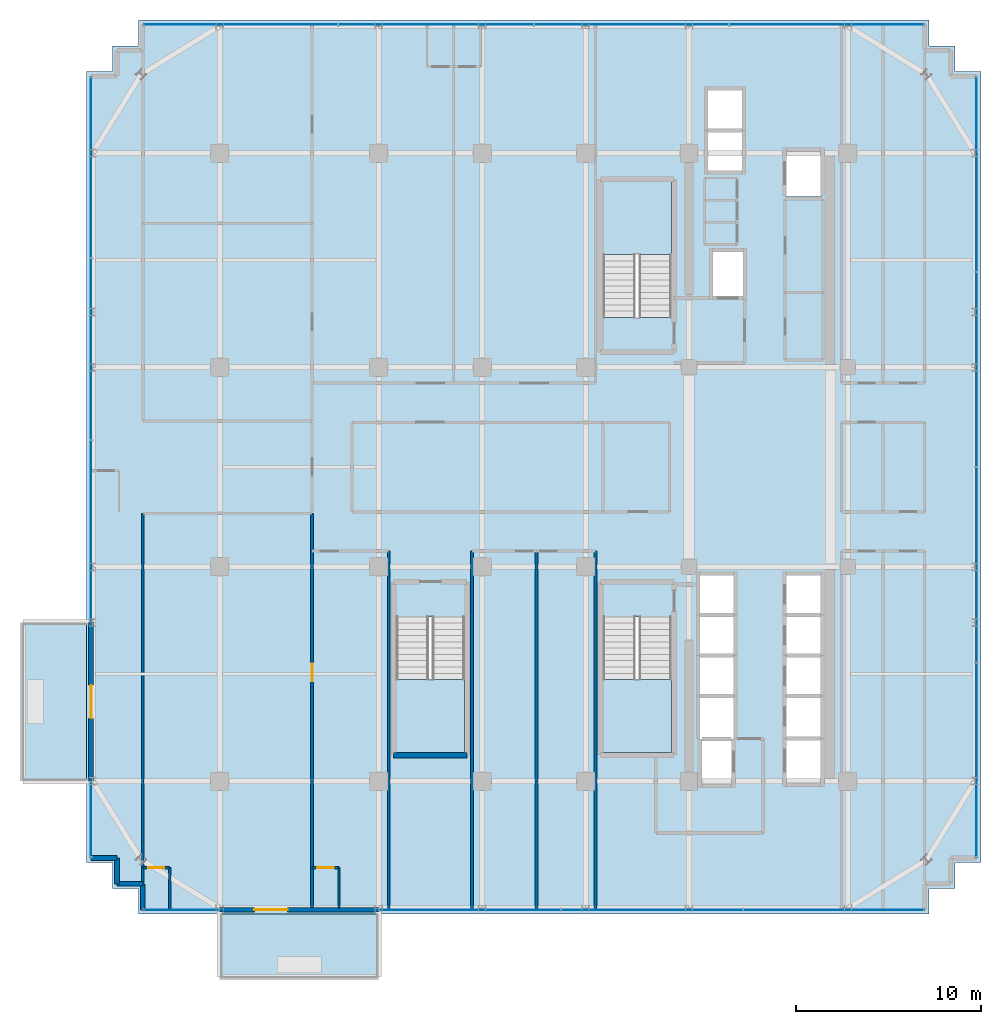
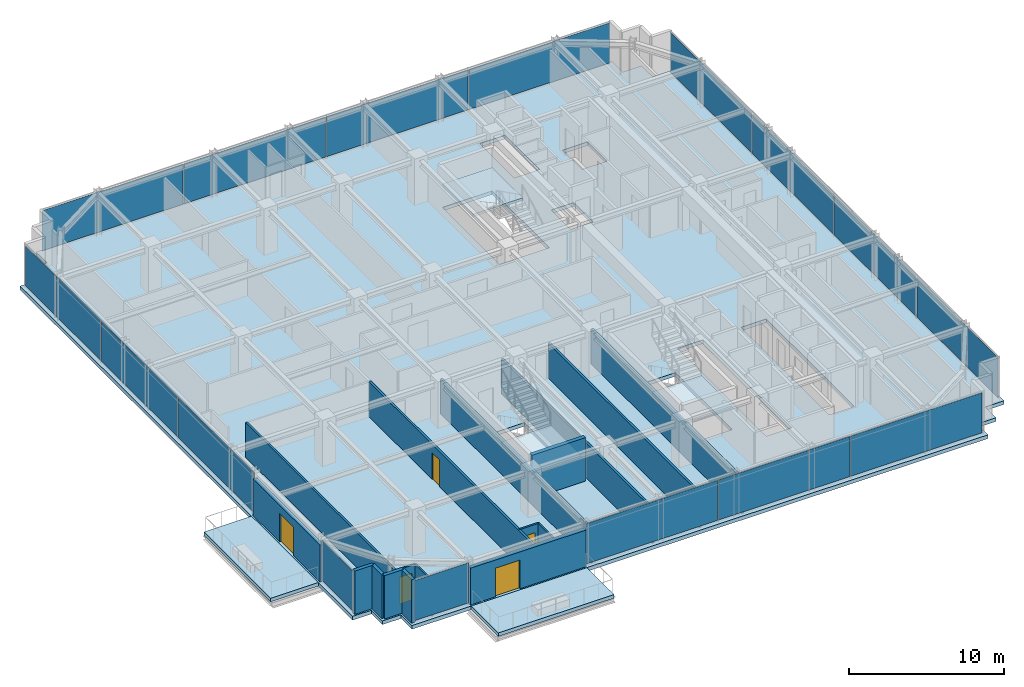
# One storey, part 28 of 35: 17 walls, 16 plates, 6 slabs, 5 doors, 5 openings, 9 elements without a shape of their own.
"""IFC4 building model written with IfcOpenShell, lengths in metres."""

from ifc_helpers import new_model, si_unit, direction, frame, frame_2d, origin, origin_2d, place, context, subcontext, project, spatial, polyline, rectangle, outline, extrude, source, transform, mapped, material, layer, layer_set, type_object, element, fill, aggregate, save


model = new_model("IFC4")

# Units and contexts
model_context = context("Model", 3, precision=1e-05, world=origin(), true_north=direction((0.0, 1.0)))
body_context = subcontext(model_context, "Body", "Model", "MODEL_VIEW")
ifc_project = project(units=[si_unit("LENGTHUNIT", "METRE"), si_unit("AREAUNIT", "SQUARE_METRE"), si_unit("VOLUMEUNIT", "CUBIC_METRE"), si_unit("PLANEANGLEUNIT", "RADIAN"), si_unit("MASSUNIT", "GRAM", prefix="KILO")], contexts=[model_context])

# Site, building, storey
site_placement = place(None, origin())
site = spatial("IfcSite", under=ifc_project, at=site_placement, CompositionType="ELEMENT")
building_placement = place(site_placement, origin())
building = spatial("IfcBuilding", under=site, at=building_placement, Name="Nahalor Promenade Grand Hotel", CompositionType="ELEMENT")
storey_placement = place(building_placement, frame((0.0, 0.0, 245.60009765625)))
storey = spatial("IfcBuildingStorey", under=building, at=storey_placement, Name="L63", CompositionType="ELEMENT", Elevation=245.60009765625)

# Stair, slab
ifc_material_1 = material(Name="Concrete B-50 (C40/50)", Category="concrete")
stair_type_1 = type_object("IfcStairType", Name="Stair-ST1", PredefinedType="HALF_TURN_STAIR", material=ifc_material_1)
stair_1_placement = place(storey_placement, origin())
stair_1 = element("IfcStair", 1, at=stair_1_placement, inside=storey, type_object=stair_type_1, Name="L63 ST1", PredefinedType="HALF_TURN_STAIR")
ifc_layer_1 = layer(ifc_material_1, 0.199951171875)
ifc_layer_set_1 = layer_set([ifc_layer_1], Name="Concrete B-50 (C40/50)")
slab_type_1 = type_object("IfcSlabType", Name="Landing-ST1", PredefinedType="LANDING", material=ifc_layer_set_1)
slab_1_placement = place(storey_placement, frame((0.0, 0.0, 1.64990234375)))
slab_1 = element("IfcSlab", 2, at=slab_1_placement, type_object=slab_type_1, Name="ST1 landing 1", PredefinedType="LANDING", context=body_context, shape_type="SweptSolid", body=[
    extrude(outline(polyline([(7.449951171875, 11.5), (7.449951171875, 15.449951171875), (3.75, 15.449951171875), (3.75, 11.5), (7.449951171875, 11.5)])), origin(), (0.0, 0.0, 1.0), 0.199951171875),
])
aggregate(stair_1, [slab_1])

stair_type_2 = type_object("IfcStairType", Name="Stair-ST2", PredefinedType="HALF_TURN_STAIR", material=ifc_material_1)
stair_2_placement = place(storey_placement, origin())
stair_2 = element("IfcStair", 3, at=stair_2_placement, inside=storey, type_object=stair_type_2, Name="L63 ST2", PredefinedType="HALF_TURN_STAIR")
ifc_layer_2 = layer(ifc_material_1, 0.2099609375)
ifc_layer_set_2 = layer_set([ifc_layer_2], Name="Concrete B-50 (C40/50)")
slab_type_2 = type_object("IfcSlabType", Name="Landing-ST2", PredefinedType="LANDING", material=ifc_layer_set_2)
slab_2_placement = place(storey_placement, frame((0.0, 0.0, 1.639892578125)))
slab_2 = element("IfcSlab", 4, at=slab_2_placement, type_object=slab_type_2, Name="ST2 landing 1", PredefinedType="LANDING", context=body_context, shape_type="SweptSolid", body=[
    extrude(outline(polyline([(3.75, -11.5), (3.75, -15.449951171875), (7.449951171875, -15.449951171875), (7.449951171875, -11.5), (3.75, -11.5)])), origin(), (0.0, 0.0, 1.0), 0.2099609375),
])
aggregate(stair_2, [slab_2])

stair_type_3 = type_object("IfcStairType", Name="Stair-ST3", PredefinedType="HALF_TURN_STAIR", material=ifc_material_1)
stair_3_placement = place(storey_placement, origin())
stair_3 = element("IfcStair", 5, at=stair_3_placement, inside=storey, type_object=stair_type_3, Name="L63 ST3", PredefinedType="HALF_TURN_STAIR")
ifc_layer_3 = layer(ifc_material_1, 0.219970703125)
ifc_layer_set_3 = layer_set([ifc_layer_3], Name="Concrete B-50 (C40/50)")
slab_type_3 = type_object("IfcSlabType", Name="Landing-ST3", PredefinedType="LANDING", material=ifc_layer_set_3)
slab_3_placement = place(storey_placement, frame((0.0, 0.0, 1.6298828125)))
slab_3 = element("IfcSlab", 6, at=slab_3_placement, type_object=slab_type_3, Name="ST3 landing 1", PredefinedType="LANDING", context=body_context, shape_type="SweptSolid", body=[
    extrude(outline(polyline([(-7.449951171875, -11.5), (-7.449951171875, -15.449951171875), (-3.75, -15.449951171875), (-3.75, -11.5), (-7.449951171875, -11.5)])), origin(), (0.0, 0.0, 1.0), 0.219970703125),
])
aggregate(stair_3, [slab_3])

# Slabs
ifc_layer_4 = layer(ifc_material_1, 0.280029296875)
ifc_layer_set_4 = layer_set([ifc_layer_4], Name="Concrete B-50 (C40/50)")
slab_type_4 = type_object("IfcSlabType", Name="Slab-Balcony-280", PredefinedType="FLOOR", material=ifc_layer_set_4)
slab_4_placement = place(storey_placement, frame((0.0, 0.0, -0.280029296875)))
element("IfcSlab", 7, at=slab_4_placement, inside=storey, type_object=slab_type_4, Name="L63 Cantilevered Planted Balcony 1", PredefinedType="FLOOR", context=body_context, shape_type="SweptSolid", body=[
    extrude(outline(polyline([(-17.0, -27.68994140625), (-8.39990234375, -27.68994140625), (-8.39990234375, -24.199951171875), (-17.0, -24.199951171875), (-17.0, -27.68994140625)])), origin(), (0.0, 0.0, 1.0), 0.280029296875),
])
slab_5_placement = place(storey_placement, frame((0.0, 0.0, -0.280029296875)))
element("IfcSlab", 8, at=slab_5_placement, inside=storey, type_object=slab_type_4, Name="L63 Cantilevered Planted Balcony 2", PredefinedType="FLOOR", context=body_context, shape_type="SweptSolid", body=[
    extrude(outline(polyline([(-27.739990234375, -17.0), (-24.199951171875, -17.0), (-24.199951171875, -8.39990234375), (-27.739990234375, -8.39990234375), (-27.739990234375, -17.0)])), origin(), (0.0, 0.0, 1.0), 0.280029296875),
])
ifc_layer_5 = layer(ifc_material_1, 0.2900390625)
ifc_layer_set_5 = layer_set([ifc_layer_5], Name="Concrete B-50 (C40/50)")
slab_type_5 = type_object("IfcSlabType", Name="Slab-TowerZ4-290", PredefinedType="FLOOR", material=ifc_layer_set_5)
slab_6_placement = place(storey_placement, frame((0.0, 0.0, -0.2900390625)))
element("IfcSlab", 9, at=slab_6_placement, inside=storey, type_object=slab_type_5, Name="L63 Suspended Structural Floor Slab", PredefinedType="FLOOR", context=body_context, shape_type="SweptSolid", body=[
    extrude(outline(polyline([(-21.39990234375, -24.199951171875), (21.39990234375, -24.199951171875), (21.39990234375, -22.800048828125), (22.800048828125, -22.800048828125), (22.800048828125, -21.39990234375), (24.199951171875, -21.39990234375), (24.199951171875, 21.39990234375), (22.800048828125, 21.39990234375), (22.800048828125, 22.800048828125), (21.39990234375, 22.800048828125), (21.39990234375, 24.199951171875), (-21.39990234375, 24.199951171875), (-21.39990234375, 22.800048828125), (-22.800048828125, 22.800048828125), (-22.800048828125, 21.39990234375), (-24.199951171875, 21.39990234375), (-24.199951171875, -21.39990234375), (-22.800048828125, -21.39990234375), (-22.800048828125, -22.800048828125), (-21.39990234375, -22.800048828125), (-21.39990234375, -24.199951171875)]), holes=[polyline([(3.75, 8.10009765625), (7.449951171875, 8.10009765625), (7.449951171875, 15.449951171875), (3.75, 15.449951171875), (3.75, 8.10009765625)]), polyline([(3.75, -15.449951171875), (7.449951171875, -15.449951171875), (7.449951171875, -8.10009765625), (3.75, -8.10009765625), (3.75, -15.449951171875)]), polyline([(-7.449951171875, -15.449951171875), (-3.75, -15.449951171875), (-3.75, -8.10009765625), (-7.449951171875, -8.10009765625), (-7.449951171875, -15.449951171875)]), polyline([(13.659912109375, -17.139892578125), (15.5400390625, -17.139892578125), (15.5400390625, -5.81005859375), (13.659912109375, -5.81005859375), (13.659912109375, -17.139892578125)]), polyline([(8.9599609375, -17.18994140625), (10.840087890625, -17.18994140625), (10.840087890625, -5.81005859375), (8.9599609375, -5.81005859375), (8.9599609375, -17.18994140625)]), polyline([(9.409912109375, 16.010009765625), (11.2900390625, 16.010009765625), (11.2900390625, 20.43994140625), (9.409912109375, 20.43994140625), (9.409912109375, 16.010009765625)]), polyline([(9.659912109375, 9.2099609375), (11.340087890625, 9.2099609375), (11.340087890625, 11.68994140625), (9.659912109375, 11.68994140625), (9.659912109375, 9.2099609375)]), polyline([(13.659912109375, 14.659912109375), (15.5400390625, 14.659912109375), (15.5400390625, 17.139892578125), (13.659912109375, 17.139892578125), (13.659912109375, 14.659912109375)])]), origin(), (0.0, 0.0, 1.0), 0.2900390625),
])

# Curtain wall, plates
ifc_material_2 = material(Name="Anodised Bronze Aluminium EN AW-6063 T6", Category="aluminium")
curtain_wall_type = type_object("IfcCurtainWallType", Name="CW2 Typical Hotel Flush Bronze Unitised Curtain Wall", PredefinedType="USERDEFINED", material=ifc_material_2)
curtain_wall_1_placement = place(storey_placement, origin())
curtain_wall_1 = element("IfcCurtainWall", 10, at=curtain_wall_1_placement, inside=storey, type_object=curtain_wall_type, Name="L63 Curtain Wall CW-L63-N-1", ObjectType="UNITISED_CURTAIN_WALL", PredefinedType="USERDEFINED")
ifc_material_3 = material(Name="Low-E Laminated Solar Glass", Category="glass")
ifc_layer_6 = layer(ifc_material_3, 0.028076171875)
ifc_layer_set_6 = layer_set([ifc_layer_6], Name="Low-E Laminated Solar Glass")
plate_type = type_object("IfcPlateType", Name="CWP2 Bronze Low-E Vision IGU 28mm", PredefinedType="CURTAIN_PANEL", material=ifc_layer_set_6)
shared_shape_1 = source(origin(), body_context, "Body", "SweptSolid", [
    extrude(rectangle(XDim=10.482421875, YDim=0.028076171875, at=origin_2d()), origin(), (0.0, 0.0, 1.0), 3.14990234375),
])
plate_1_placement = place(storey_placement, frame((-15.853759765625, 23.9599609375, 0.1298828125), z_axis=(0.0, 0.0, 1.0), x_axis=(1.0, 0.0, 0.0)))
plate_1 = element("IfcPlate", 11, at=plate_1_placement, type_object=plate_type, Name="CW-L63-N-1 Glazing Panel 0-0", PredefinedType="CURTAIN_PANEL", context=body_context, shape_type="MappedRepresentation", body=[
    mapped(shared_shape_1, transform((0.0, 0.0, 0.0), scale=1.0)),
])
plate_2_placement = place(storey_placement, frame((15.853759765625, 23.9599609375, 0.1298828125), z_axis=(0.0, 0.0, 1.0), x_axis=(1.0, 0.0, 0.0)))
plate_2 = element("IfcPlate", 12, at=plate_2_placement, type_object=plate_type, Name="CW-L63-N-1 Glazing Panel 3-0", PredefinedType="CURTAIN_PANEL", context=body_context, shape_type="MappedRepresentation", body=[
    mapped(shared_shape_1, transform((0.0, 0.0, 0.0), scale=1.0)),
])

curtain_wall_2_placement = place(storey_placement, origin())
curtain_wall_2 = element("IfcCurtainWall", 13, at=curtain_wall_2_placement, inside=storey, type_object=curtain_wall_type, Name="L63 Curtain Wall CW-L63-E-1", ObjectType="UNITISED_CURTAIN_WALL", PredefinedType="USERDEFINED")
plate_3_placement = place(storey_placement, frame((23.9599609375, -15.853759765625, 0.1298828125), z_axis=(0.0, 0.0, 1.0), x_axis=(0.0, 1.0, 0.0)))
plate_3 = element("IfcPlate", 14, at=plate_3_placement, type_object=plate_type, Name="CW-L63-E-1 Glazing Panel 0-0", PredefinedType="CURTAIN_PANEL", context=body_context, shape_type="MappedRepresentation", body=[
    mapped(shared_shape_1, transform((0.0, 0.0, 0.0), scale=1.0)),
])
plate_4_placement = place(storey_placement, frame((23.9599609375, 15.853759765625, 0.1298828125), z_axis=(0.0, 0.0, 1.0), x_axis=(0.0, 1.0, 0.0)))
plate_4 = element("IfcPlate", 15, at=plate_4_placement, type_object=plate_type, Name="CW-L63-E-1 Glazing Panel 3-0", PredefinedType="CURTAIN_PANEL", context=body_context, shape_type="MappedRepresentation", body=[
    mapped(shared_shape_1, transform((0.0, 0.0, 0.0), scale=1.0)),
])

# Plate
shared_shape_2 = source(origin(), body_context, "Body", "SweptSolid", [
    extrude(rectangle(XDim=10.514892578125, YDim=0.028076171875, at=origin_2d()), origin(), (0.0, 0.0, 1.0), 3.14990234375),
])
plate_5_placement = place(storey_placement, frame((-5.2900390625, 23.9599609375, 0.1298828125), z_axis=(0.0, 0.0, 1.0), x_axis=(1.0, 0.0, 0.0)))
plate_5 = element("IfcPlate", 16, at=plate_5_placement, type_object=plate_type, Name="CW-L63-N-1 Glazing Panel 1-0", PredefinedType="CURTAIN_PANEL", context=body_context, shape_type="MappedRepresentation", body=[
    mapped(shared_shape_2, transform((0.0, 0.0, 0.0), scale=1.0)),
])

plate_6_placement = place(storey_placement, frame((5.2900390625, 23.9599609375, 0.1298828125), z_axis=(0.0, 0.0, 1.0), x_axis=(1.0, 0.0, 0.0)))
plate_6 = element("IfcPlate", 17, at=plate_6_placement, type_object=plate_type, Name="CW-L63-N-1 Glazing Panel 2-0", PredefinedType="CURTAIN_PANEL", context=body_context, shape_type="MappedRepresentation", body=[
    mapped(shared_shape_2, transform((0.0, 0.0, 0.0), scale=1.0)),
])

aggregate(curtain_wall_1, [plate_1, plate_5, plate_6, plate_2])

plate_7_placement = place(storey_placement, frame((23.9599609375, -5.2900390625, 0.1298828125), z_axis=(0.0, 0.0, 1.0), x_axis=(0.0, 1.0, 0.0)))
plate_7 = element("IfcPlate", 18, at=plate_7_placement, type_object=plate_type, Name="CW-L63-E-1 Glazing Panel 1-0", PredefinedType="CURTAIN_PANEL", context=body_context, shape_type="MappedRepresentation", body=[
    mapped(shared_shape_2, transform((0.0, 0.0, 0.0), scale=1.0)),
])

plate_8_placement = place(storey_placement, frame((23.9599609375, 5.2900390625, 0.1298828125), z_axis=(0.0, 0.0, 1.0), x_axis=(0.0, 1.0, 0.0)))
plate_8 = element("IfcPlate", 19, at=plate_8_placement, type_object=plate_type, Name="CW-L63-E-1 Glazing Panel 2-0", PredefinedType="CURTAIN_PANEL", context=body_context, shape_type="MappedRepresentation", body=[
    mapped(shared_shape_2, transform((0.0, 0.0, 0.0), scale=1.0)),
])

aggregate(curtain_wall_2, [plate_3, plate_7, plate_8, plate_4])

# Curtain wall, plate
curtain_wall_3_placement = place(storey_placement, origin())
curtain_wall_3 = element("IfcCurtainWall", 20, at=curtain_wall_3_placement, inside=storey, type_object=curtain_wall_type, Name="L63 Curtain Wall CW-L63-S-1", ObjectType="UNITISED_CURTAIN_WALL", PredefinedType="USERDEFINED")
shared_shape_3 = source(origin(), body_context, "Body", "SweptSolid", [
    extrude(rectangle(XDim=4.030029296875, YDim=0.028076171875, at=origin_2d()), origin(), (0.0, 0.0, 1.0), 3.14990234375),
])
plate_9_placement = place(storey_placement, frame((-19.080078125, -23.9599609375, 0.1298828125), z_axis=(0.0, 0.0, 1.0), x_axis=(1.0, 0.0, 0.0)))
plate_9 = element("IfcPlate", 21, at=plate_9_placement, type_object=plate_type, Name="CW-L63-S-1 Glazing Panel 0-0", PredefinedType="CURTAIN_PANEL", context=body_context, shape_type="MappedRepresentation", body=[
    mapped(shared_shape_3, transform((0.0, 0.0, 0.0), scale=1.0)),
])
aggregate(curtain_wall_3, [plate_9])

curtain_wall_4_placement = place(storey_placement, origin())
curtain_wall_4 = element("IfcCurtainWall", 22, at=curtain_wall_4_placement, inside=storey, type_object=curtain_wall_type, Name="L63 Curtain Wall CW-L63-W-1", ObjectType="UNITISED_CURTAIN_WALL", PredefinedType="USERDEFINED")
plate_10_placement = place(storey_placement, frame((-23.9599609375, -19.080078125, 0.1298828125), z_axis=(0.0, 0.0, 1.0), x_axis=(0.0, 1.0, 0.0)))
plate_10 = element("IfcPlate", 23, at=plate_10_placement, type_object=plate_type, Name="CW-L63-W-1 Glazing Panel 0-0", PredefinedType="CURTAIN_PANEL", context=body_context, shape_type="MappedRepresentation", body=[
    mapped(shared_shape_3, transform((0.0, 0.0, 0.0), scale=1.0)),
])
aggregate(curtain_wall_4, [plate_10])

# Curtain wall, plates
curtain_wall_5_placement = place(storey_placement, origin())
curtain_wall_5 = element("IfcCurtainWall", 24, at=curtain_wall_5_placement, inside=storey, type_object=curtain_wall_type, Name="L63 Curtain Wall CW-L63-S-3", ObjectType="UNITISED_CURTAIN_WALL", PredefinedType="USERDEFINED")
shared_shape_4 = source(origin(), body_context, "Body", "SweptSolid", [
    extrude(rectangle(XDim=9.755859375, YDim=0.028076171875, at=origin_2d()), origin(), (0.0, 0.0, 1.0), 3.14990234375),
])
plate_11_placement = place(storey_placement, frame((-3.45703125, -23.9599609375, 0.1298828125), z_axis=(0.0, 0.0, 1.0), x_axis=(1.0, 0.0, 0.0)))
plate_11 = element("IfcPlate", 25, at=plate_11_placement, type_object=plate_type, Name="CW-L63-S-3 Glazing Panel 0-0", PredefinedType="CURTAIN_PANEL", context=body_context, shape_type="MappedRepresentation", body=[
    mapped(shared_shape_4, transform((0.0, 0.0, 0.0), scale=1.0)),
])
plate_12_placement = place(storey_placement, frame((16.217041015625, -23.9599609375, 0.1298828125), z_axis=(0.0, 0.0, 1.0), x_axis=(1.0, 0.0, 0.0)))
plate_12 = element("IfcPlate", 26, at=plate_12_placement, type_object=plate_type, Name="CW-L63-S-3 Glazing Panel 2-0", PredefinedType="CURTAIN_PANEL", context=body_context, shape_type="MappedRepresentation", body=[
    mapped(shared_shape_4, transform((0.0, 0.0, 0.0), scale=1.0)),
])

curtain_wall_6_placement = place(storey_placement, origin())
curtain_wall_6 = element("IfcCurtainWall", 27, at=curtain_wall_6_placement, inside=storey, type_object=curtain_wall_type, Name="L63 Curtain Wall CW-L63-W-3", ObjectType="UNITISED_CURTAIN_WALL", PredefinedType="USERDEFINED")
plate_13_placement = place(storey_placement, frame((-23.9599609375, -3.45703125, 0.1298828125), z_axis=(0.0, 0.0, 1.0), x_axis=(0.0, 1.0, 0.0)))
plate_13 = element("IfcPlate", 28, at=plate_13_placement, type_object=plate_type, Name="CW-L63-W-3 Glazing Panel 0-0", PredefinedType="CURTAIN_PANEL", context=body_context, shape_type="MappedRepresentation", body=[
    mapped(shared_shape_4, transform((0.0, 0.0, 0.0), scale=1.0)),
])
plate_14_placement = place(storey_placement, frame((-23.9599609375, 16.217041015625, 0.1298828125), z_axis=(0.0, 0.0, 1.0), x_axis=(0.0, 1.0, 0.0)))
plate_14 = element("IfcPlate", 29, at=plate_14_placement, type_object=plate_type, Name="CW-L63-W-3 Glazing Panel 2-0", PredefinedType="CURTAIN_PANEL", context=body_context, shape_type="MappedRepresentation", body=[
    mapped(shared_shape_4, transform((0.0, 0.0, 0.0), scale=1.0)),
])

# Plate
shared_shape_5 = source(origin(), body_context, "Body", "SweptSolid", [
    extrude(rectangle(XDim=9.788330078125, YDim=0.028076171875, at=origin_2d()), origin(), (0.0, 0.0, 1.0), 3.14990234375),
])
plate_15_placement = place(storey_placement, frame((6.3798828125, -23.9599609375, 0.1298828125), z_axis=(0.0, 0.0, 1.0), x_axis=(1.0, 0.0, 0.0)))
plate_15 = element("IfcPlate", 30, at=plate_15_placement, type_object=plate_type, Name="CW-L63-S-3 Glazing Panel 1-0", PredefinedType="CURTAIN_PANEL", context=body_context, shape_type="MappedRepresentation", body=[
    mapped(shared_shape_5, transform((0.0, 0.0, 0.0), scale=1.0)),
])

aggregate(curtain_wall_5, [plate_11, plate_15, plate_12])

plate_16_placement = place(storey_placement, frame((-23.9599609375, 6.3798828125, 0.1298828125), z_axis=(0.0, 0.0, 1.0), x_axis=(0.0, 1.0, 0.0)))
plate_16 = element("IfcPlate", 31, at=plate_16_placement, type_object=plate_type, Name="CW-L63-W-3 Glazing Panel 1-0", PredefinedType="CURTAIN_PANEL", context=body_context, shape_type="MappedRepresentation", body=[
    mapped(shared_shape_5, transform((0.0, 0.0, 0.0), scale=1.0)),
])

aggregate(curtain_wall_6, [plate_13, plate_16, plate_14])

# Walls
ifc_layer_7 = layer(ifc_material_1, 0.300048828125)
ifc_layer_set_7 = layer_set([ifc_layer_7], Name="Concrete B-50 (C40/50)")
wall_type_1 = type_object("IfcWallType", Name="Wall-ShaftShear-300", PredefinedType="SHEAR", material=ifc_layer_set_7)
shared_shape_6 = source(origin(), body_context, "Body", "SweptSolid", [
    extrude(rectangle(XDim=3.97998046875, YDim=0.300048828125, at=frame_2d((1.989990234375, 0.0))), origin(), (0.0, 0.0, 1.0), 3.409912109375),
])
wall_1_placement = place(storey_placement, frame((-7.590087890625, -15.590087890625, 0.0), z_axis=(0.0, 0.0, 1.0), x_axis=(1.0, 0.0, 0.0)))
element("IfcWall", 32, at=wall_1_placement, inside=storey, type_object=wall_type_1, Name="L63 Exit Stair ST3 Shaft Wall S", PredefinedType="SHEAR", context=body_context, shape_type="MappedRepresentation", body=[
    mapped(shared_shape_6, transform((0.0, 0.0, 0.0), scale=1.0)),
])
ifc_material_4 = material(Name="Concrete B-40 (C32/40)", Category="concrete")
ifc_layer_8 = layer(ifc_material_4, 0.25)
ifc_layer_set_8 = layer_set([ifc_layer_8], Name="Concrete B-40 (C32/40)")
wall_type_2 = type_object("IfcWallType", Name="Wall-BronzePier-250", PredefinedType="STANDARD", material=ifc_layer_set_8)
shared_shape_7 = source(origin(), body_context, "Body", "SweptSolid", [
    extrude(rectangle(XDim=1.39990234375, YDim=0.25, at=frame_2d((0.699951171875, 0.0))), origin(), (0.0, 0.0, 1.0), 3.409912109375),
])
for number, where, z_axis, x_axis, name in (
    (33, (-23.9599609375, -21.159912109375, 0.0), (0.0, 0.0, 1.0), (1.0, 0.0, 0.0), "W-L63-SR-13"),
    (34, (-21.159912109375, -23.9599609375, 0.0), (0.0, 0.0, 1.0), (0.0, 1.0, 0.0), "W-L63-SR-16"),
):
    element("IfcWall", number, at=place(storey_placement, frame(where, z_axis=z_axis, x_axis=x_axis)), inside=storey, type_object=wall_type_2, Name=name, PredefinedType="STANDARD", context=body_context, shape_type="MappedRepresentation", body=[
        mapped(shared_shape_7, transform((0.0, 0.0, 0.0), scale=1.0)),
    ])
shared_shape_8 = source(origin(), body_context, "Body", "SweptSolid", [
    extrude(rectangle(XDim=1.400146484375, YDim=0.25, at=frame_2d((0.7001953125, 0.0))), origin(), (0.0, 0.0, 1.0), 3.409912109375),
])
for number, where, z_axis, x_axis, name in (
    (35, (-22.56005859375, -22.56005859375, 0.0), (0.0, 0.0, 1.0), (0.0, 1.0, 0.0), "W-L63-SR-14"),
    (36, (-22.56005859375, -22.56005859375, 0.0), (0.0, 0.0, 1.0), (1.0, 0.0, 0.0), "W-L63-SR-15"),
):
    element("IfcWall", number, at=place(storey_placement, frame(where, z_axis=z_axis, x_axis=x_axis)), inside=storey, type_object=wall_type_2, Name=name, PredefinedType="STANDARD", context=body_context, shape_type="MappedRepresentation", body=[
        mapped(shared_shape_8, transform((0.0, 0.0, 0.0), scale=1.0)),
    ])

# Wall, opening, door
ifc_layer_9 = layer(ifc_material_4, 0.260009765625)
ifc_layer_set_9 = layer_set([ifc_layer_9], Name="Concrete B-40 (C32/40)")
wall_type_3 = type_object("IfcWallType", Name="Wall-BalconyWall-260", PredefinedType="STANDARD", material=ifc_layer_set_9)
shared_shape_9 = source(origin(), body_context, "Body", "SweptSolid", [
    extrude(rectangle(XDim=8.60009765625, YDim=0.260009765625, at=frame_2d((4.300048828125, 0.0))), origin(), (0.0, 0.0, 1.0), 2.889892578125),
])
wall_2_placement = place(storey_placement, frame((-17.0, -23.9599609375, 0.0), z_axis=(0.0, 0.0, 1.0), x_axis=(1.0, 0.0, 0.0)))
wall_2 = element("IfcWall", 37, at=wall_2_placement, inside=storey, type_object=wall_type_3, Name="W-L63-BALC-S-2", PredefinedType="STANDARD", context=body_context, shape_type="MappedRepresentation", body=[
    mapped(shared_shape_9, transform((0.0, 0.0, 0.0), scale=1.0)),
])
opening_1_placement = place(wall_2_placement, frame((1.875, 0.0, 0.0)))
opening_1 = element("IfcOpeningElement", 38, at=opening_1_placement, cuts=wall_2, Name="Opening D-BC1", PredefinedType="OPENING", context=body_context, shape_type="SweptSolid", body=[
    extrude(rectangle(XDim=1.800048828125, YDim=2.25, at=frame_2d((0.89990234375, 1.125))), frame((0.0, 0.139892578125, 0.0), z_axis=(0.0, -1.0, 0.0), x_axis=(1.0, 0.0, 0.0)), (0.0, 0.0, 1.0), 0.280029296875),
])
door_type_1 = type_object("IfcDoorType", Name="Door-BalconySlide-1800", OperationType="DOUBLE_DOOR_SLIDING", PredefinedType="DOOR", material=ifc_material_2)
shared_shape_10 = source(origin(), body_context, "Body", "SweptSolid", [
    extrude(rectangle(XDim=1.800048828125, YDim=2.25, at=frame_2d((0.89990234375, 1.125))), frame((0.0, 0.02490234375, 0.0), z_axis=(0.0, -1.0, 0.0), x_axis=(1.0, 0.0, 0.0)), (0.0, 0.0, 1.0), 0.050048828125),
])
door_1_placement = place(opening_1_placement, frame((1.800048828125, 0.0, 0.0), z_axis=(0.0, 0.0, 1.0), x_axis=(-1.0, 0.0, 0.0)))
door_1 = element("IfcDoor", 39, at=door_1_placement, inside=storey, type_object=door_type_1, Name="DR-L63-BALC-S-2", OperationType="DOUBLE_DOOR_SLIDING", OverallHeight=2.25, OverallWidth=1.800048828125, PredefinedType="DOOR", context=body_context, shape_type="MappedRepresentation", body=[
    mapped(shared_shape_10, transform((0.0, 0.0, 0.0), scale=1.0)),
])
fill(opening_1, door_1)

wall_3_placement = place(storey_placement, frame((-23.9599609375, -17.0, 0.0), z_axis=(0.0, 0.0, 1.0), x_axis=(0.0, 1.0, 0.0)))
wall_3 = element("IfcWall", 40, at=wall_3_placement, inside=storey, type_object=wall_type_3, Name="W-L63-BALC-W-2", PredefinedType="STANDARD", context=body_context, shape_type="MappedRepresentation", body=[
    mapped(shared_shape_9, transform((0.0, 0.0, 0.0), scale=1.0)),
])
opening_2_placement = place(wall_3_placement, frame((3.39990234375, 0.0, 0.0)))
opening_2 = element("IfcOpeningElement", 41, at=opening_2_placement, cuts=wall_3, Name="Opening D-BC1", PredefinedType="OPENING", context=body_context, shape_type="SweptSolid", body=[
    extrude(rectangle(XDim=1.800048828125, YDim=2.25, at=frame_2d((0.89990234375, 1.125))), frame((0.0, 0.139892578125, 0.0), z_axis=(0.0, -1.0, 0.0), x_axis=(1.0, 0.0, 0.0)), (0.0, 0.0, 1.0), 0.280029296875),
])
door_2_placement = place(opening_2_placement, origin())
door_2 = element("IfcDoor", 42, at=door_2_placement, inside=storey, type_object=door_type_1, Name="DR-L63-BALC-W-2", OperationType="DOUBLE_DOOR_SLIDING", OverallHeight=2.25, OverallWidth=1.800048828125, PredefinedType="DOOR", context=body_context, shape_type="MappedRepresentation", body=[
    mapped(shared_shape_10, transform((0.0, 0.0, 0.0), scale=1.0)),
])
fill(opening_2, door_2)

# Walls
ifc_material_5 = material(Name="Acoustic Mineral Gypsum", Category="gypsum")
ifc_layer_10 = layer(ifc_material_5, 0.159912109375)
ifc_layer_set_10 = layer_set([ifc_layer_10], Name="Acoustic Mineral Gypsum")
wall_type_4 = type_object("IfcWallType", Name="Wall-PartCorridor-160", PredefinedType="PARTITIONING", material=ifc_layer_set_10)
shared_shape_11 = source(origin(), body_context, "Body", "SweptSolid", [
    extrude(rectangle(XDim=19.349853515625, YDim=0.159912109375, at=frame_2d((9.6748046875, 0.0))), origin(), (0.0, 0.0, 1.0), 2.75),
])
for number, where, z_axis, x_axis, name in (
    (43, (-3.340087890625, -23.89990234375, 0.0), (0.0, 0.0, 1.0), (0.0, 1.0, 0.0), "W-L63-SCB1-W"),
    (44, (0.14990234375, -23.89990234375, 0.0), (0.0, 0.0, 1.0), (0.0, 1.0, 0.0), "W-L63-SCB1-E"),
    (45, (3.340087890625, -23.89990234375, 0.0), (0.0, 0.0, 1.0), (0.0, 1.0, 0.0), "W-L63-SCB2-E"),
):
    element("IfcWall", number, at=place(storey_placement, frame(where, z_axis=z_axis, x_axis=x_axis)), inside=storey, type_object=wall_type_4, Name=name, PredefinedType="PARTITIONING", context=body_context, shape_type="MappedRepresentation", body=[
        mapped(shared_shape_11, transform((0.0, 0.0, 0.0), scale=1.0)),
    ])

# Wall, opening, door
shared_shape_12 = source(origin(), body_context, "Body", "SweptSolid", [
    extrude(rectangle(XDim=21.39990234375, YDim=0.159912109375, at=frame_2d((10.699951171875, 0.0))), origin(), (0.0, 0.0, 1.0), 2.75),
])
wall_4_placement = place(storey_placement, frame((-12.0, -23.89990234375, 0.0), z_axis=(0.0, 0.0, 1.0), x_axis=(0.0, 1.0, 0.0)))
wall_4 = element("IfcWall", 46, at=wall_4_placement, inside=storey, type_object=wall_type_4, Name="W-L63-ZSW-E", PredefinedType="PARTITIONING", context=body_context, shape_type="MappedRepresentation", body=[
    mapped(shared_shape_12, transform((0.0, 0.0, 0.0), scale=1.0)),
])
opening_3_placement = place(wall_4_placement, frame((12.300048828125, 0.0, 0.0)))
opening_3 = element("IfcOpeningElement", 47, at=opening_3_placement, cuts=wall_4, Name="Opening D-01", PredefinedType="OPENING", context=body_context, shape_type="SweptSolid", body=[
    extrude(rectangle(XDim=0.949951171875, YDim=2.10009765625, at=frame_2d((0.47509765625, 1.050048828125))), frame((0.0, 0.08984375, 0.0), z_axis=(0.0, -1.0, 0.0), x_axis=(1.0, 0.0, 0.0)), (0.0, 0.0, 1.0), 0.179931640625),
])
ifc_material_6 = material(Name="Fire-Rated Timber Composite", Category="wood")
door_type_2 = type_object("IfcDoorType", Name="Door-GuestEntry-950", OperationType="NOTDEFINED", PredefinedType="DOOR", material=ifc_material_6)
shared_shape_13 = source(origin(), body_context, "Body", "SweptSolid", [
    extrude(rectangle(XDim=0.949951171875, YDim=2.10009765625, at=frame_2d((0.47509765625, 1.050048828125))), frame((0.0, 0.02490234375, 0.0), z_axis=(0.0, -1.0, 0.0), x_axis=(1.0, 0.0, 0.0)), (0.0, 0.0, 1.0), 0.050048828125),
])
door_3_placement = place(opening_3_placement, origin())
door_3 = element("IfcDoor", 48, at=door_3_placement, inside=storey, type_object=door_type_2, Name="DR-L63-SW0-ENT", OperationType="SINGLE_SWING_LEFT", OverallHeight=2.10009765625, OverallWidth=0.949951171875, PredefinedType="DOOR", context=body_context, shape_type="MappedRepresentation", body=[
    mapped(shared_shape_13, transform((0.0, 0.0, 0.0), scale=1.0)),
])
fill(opening_3, door_3)

# Wall
ifc_layer_11 = layer(ifc_material_5, 0.139892578125)
ifc_layer_set_11 = layer_set([ifc_layer_11], Name="Acoustic Mineral Gypsum")
wall_type_5 = type_object("IfcWallType", Name="Wall-PartSuite-140", PredefinedType="PARTITIONING", material=ifc_layer_set_11)
shared_shape_14 = source(origin(), body_context, "Body", "SweptSolid", [
    extrude(rectangle(XDim=19.97998046875, YDim=0.139892578125, at=frame_2d((9.989990234375, 0.0))), origin(), (0.0, 0.0, 1.0), 2.75),
])
wall_5_placement = place(storey_placement, frame((-21.159912109375, -22.47998046875, 0.0), z_axis=(0.0, 0.0, 1.0), x_axis=(0.0, 1.0, 0.0)))
element("IfcWall", 49, at=wall_5_placement, inside=storey, type_object=wall_type_5, Name="W-L63-ZSW-W", PredefinedType="PARTITIONING", context=body_context, shape_type="MappedRepresentation", body=[
    mapped(shared_shape_14, transform((0.0, 0.0, 0.0), scale=1.0)),
])

# Wall, opening, door
ifc_layer_12 = layer(ifc_material_5, 0.1201171875)
ifc_layer_set_12 = layer_set([ifc_layer_12], Name="Acoustic Mineral Gypsum")
wall_type_6 = type_object("IfcWallType", Name="Wall-PartBath-120", PredefinedType="PARTITIONING", material=ifc_layer_set_12)
shared_shape_15 = source(origin(), body_context, "Body", "SweptSolid", [
    extrude(rectangle(XDim=1.449951171875, YDim=0.1201171875, at=frame_2d((0.72509765625, 0.0))), origin(), (0.0, 0.0, 1.0), 2.75),
])
wall_6_placement = place(storey_placement, frame((-21.159912109375, -21.679931640625, 0.0), z_axis=(0.0, 0.0, 1.0), x_axis=(1.0, 0.0, 0.0)))
wall_6 = element("IfcWall", 50, at=wall_6_placement, inside=storey, type_object=wall_type_6, Name="W-L63-SW0-BH", PredefinedType="PARTITIONING", context=body_context, shape_type="MappedRepresentation", body=[
    mapped(shared_shape_15, transform((0.0, 0.0, 0.0), scale=1.0)),
])
opening_4_placement = place(wall_6_placement, frame((0.284912109375, 0.0, 0.0)))
opening_4 = element("IfcOpeningElement", 51, at=opening_4_placement, cuts=wall_6, Name="Opening D-03", PredefinedType="OPENING", context=body_context, shape_type="SweptSolid", body=[
    extrude(rectangle(XDim=0.8798828125, YDim=2.10009765625, at=frame_2d((0.43994140625, 1.050048828125))), frame((0.0, 0.070068359375, 0.0), z_axis=(0.0, -1.0, 0.0), x_axis=(1.0, 0.0, 0.0)), (0.0, 0.0, 1.0), 0.14013671875),
])
door_type_3 = type_object("IfcDoorType", Name="Door-BathSwing-880", OperationType="NOTDEFINED", PredefinedType="DOOR", material=ifc_material_6)
shared_shape_16 = source(origin(), body_context, "Body", "SweptSolid", [
    extrude(rectangle(XDim=0.8798828125, YDim=2.10009765625, at=frame_2d((0.43994140625, 1.050048828125))), frame((0.0, 0.02490234375, 0.0), z_axis=(0.0, -1.0, 0.0), x_axis=(1.0, 0.0, 0.0)), (0.0, 0.0, 1.0), 0.050048828125),
])
door_4_placement = place(opening_4_placement, frame((0.8798828125, 0.0, 0.0), z_axis=(0.0, 0.0, 1.0), x_axis=(-1.0, 0.0, 0.0)))
door_4 = element("IfcDoor", 52, at=door_4_placement, inside=storey, type_object=door_type_3, Name="DR-L63-SW0-BATH", OperationType="SINGLE_SWING_RIGHT", OverallHeight=2.10009765625, OverallWidth=0.8798828125, PredefinedType="DOOR", context=body_context, shape_type="MappedRepresentation", body=[
    mapped(shared_shape_16, transform((0.0, 0.0, 0.0), scale=1.0)),
])
fill(opening_4, door_4)

wall_7_placement = place(storey_placement, frame((-12.0, -21.679931640625, 0.0), z_axis=(0.0, 0.0, 1.0), x_axis=(1.0, 0.0, 0.0)))
wall_7 = element("IfcWall", 53, at=wall_7_placement, inside=storey, type_object=wall_type_6, Name="W-L63-S1-BH", PredefinedType="PARTITIONING", context=body_context, shape_type="MappedRepresentation", body=[
    mapped(shared_shape_15, transform((0.0, 0.0, 0.0), scale=1.0)),
])
opening_5_placement = place(wall_7_placement, frame((0.284912109375, 0.0, 0.0)))
opening_5 = element("IfcOpeningElement", 54, at=opening_5_placement, cuts=wall_7, Name="Opening D-03", PredefinedType="OPENING", context=body_context, shape_type="SweptSolid", body=[
    extrude(rectangle(XDim=0.8798828125, YDim=2.10009765625, at=frame_2d((0.43994140625, 1.050048828125))), frame((0.0, 0.070068359375, 0.0), z_axis=(0.0, -1.0, 0.0), x_axis=(1.0, 0.0, 0.0)), (0.0, 0.0, 1.0), 0.14013671875),
])
door_5_placement = place(opening_5_placement, frame((0.8798828125, 0.0, 0.0), z_axis=(0.0, 0.0, 1.0), x_axis=(-1.0, 0.0, 0.0)))
door_5 = element("IfcDoor", 55, at=door_5_placement, inside=storey, type_object=door_type_3, Name="DR-L63-S1-BATH", OperationType="SINGLE_SWING_RIGHT", OverallHeight=2.10009765625, OverallWidth=0.8798828125, PredefinedType="DOOR", context=body_context, shape_type="MappedRepresentation", body=[
    mapped(shared_shape_16, transform((0.0, 0.0, 0.0), scale=1.0)),
])
fill(opening_5, door_5)

# Walls
shared_shape_17 = source(origin(), body_context, "Body", "SweptSolid", [
    extrude(rectangle(XDim=2.219970703125, YDim=0.1201171875, at=frame_2d((1.10986328125, 0.0))), origin(), (0.0, 0.0, 1.0), 2.75),
])
for number, where, z_axis, x_axis, name in (
    (56, (-19.7099609375, -23.89990234375, 0.0), (0.0, 0.0, 1.0), (0.0, 1.0, 0.0), "W-L63-SW0-BV"),
    (57, (-10.550048828125, -23.89990234375, 0.0), (0.0, 0.0, 1.0), (0.0, 1.0, 0.0), "W-L63-S1-BV"),
):
    element("IfcWall", number, at=place(storey_placement, frame(where, z_axis=z_axis, x_axis=x_axis)), inside=storey, type_object=wall_type_6, Name=name, PredefinedType="PARTITIONING", context=body_context, shape_type="MappedRepresentation", body=[
        mapped(shared_shape_17, transform((0.0, 0.0, 0.0), scale=1.0)),
    ])
shared_shape_18 = source(origin(), body_context, "Body", "SweptSolid", [
    extrude(rectangle(XDim=19.349853515625, YDim=0.139892578125, at=frame_2d((9.6748046875, 0.0))), origin(), (0.0, 0.0, 1.0), 2.75),
])
wall_8_placement = place(storey_placement, frame((-7.860107421875, -23.89990234375, 0.0), z_axis=(0.0, 0.0, 1.0), x_axis=(0.0, 1.0, 0.0)))
element("IfcWall", 58, at=wall_8_placement, inside=storey, type_object=wall_type_5, Name="W-L63-SW-ENDE", PredefinedType="PARTITIONING", context=body_context, shape_type="MappedRepresentation", body=[
    mapped(shared_shape_18, transform((0.0, 0.0, 0.0), scale=1.0)),
])

save(model, "model.ifc")
